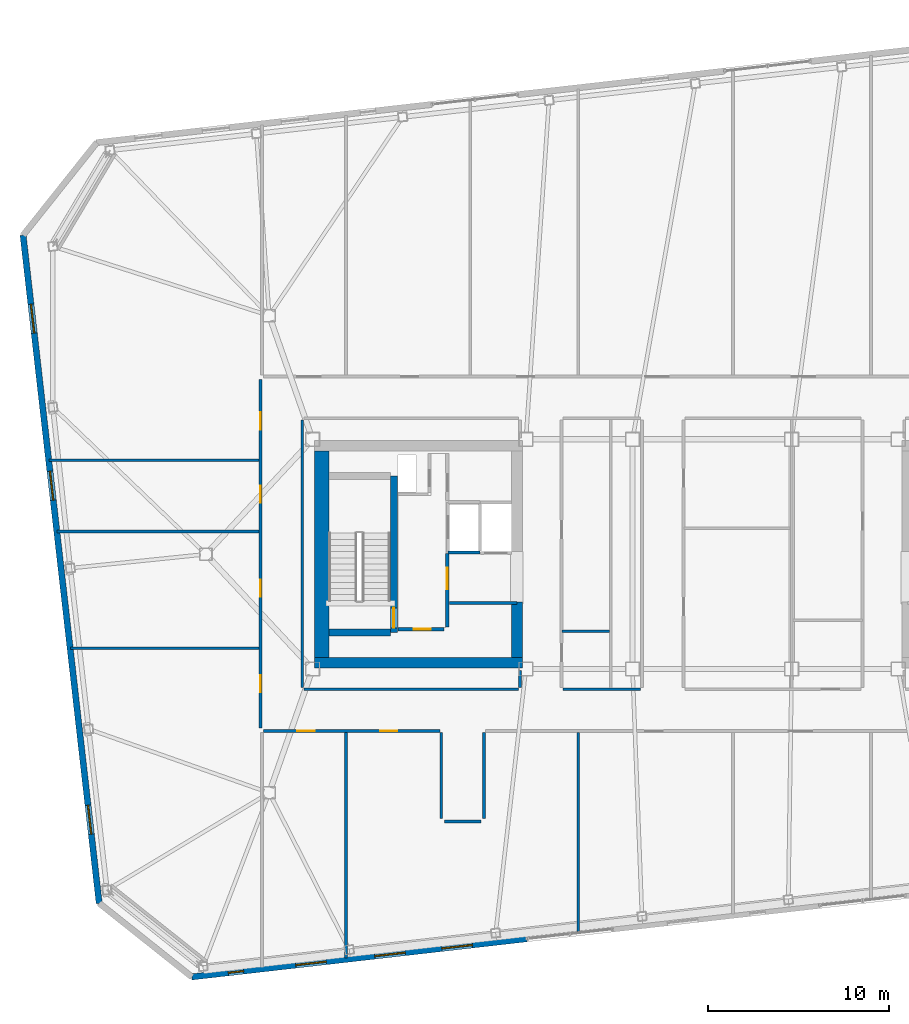
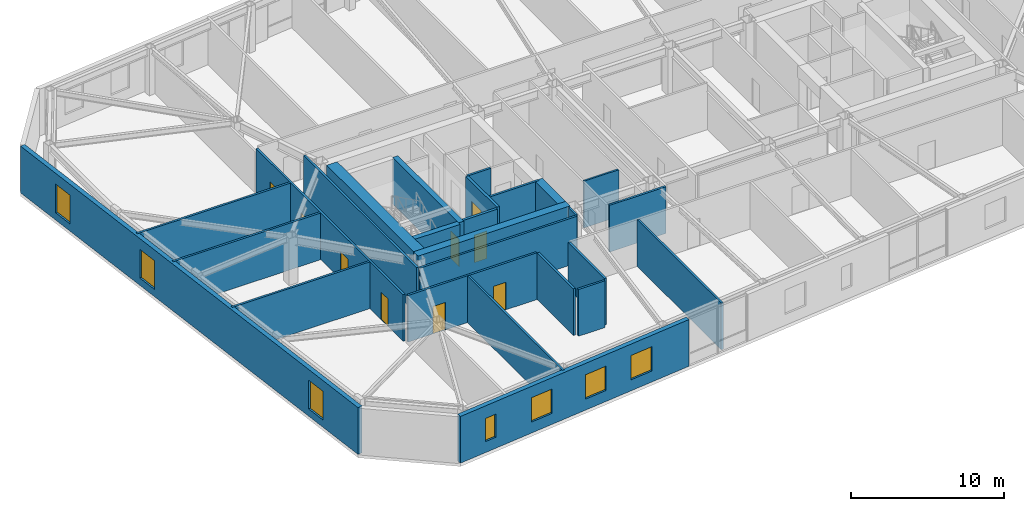
# One storey, part 12 of 19: 26 walls, 9 doors, 7 windows, 16 openings.
"""IFC4 building model written with IfcOpenShell, lengths in metres."""

from ifc_helpers import new_model, si_unit, direction, frame, frame_2d, origin, place, context, subcontext, project, spatial, rectangle, extrude, material, layer, layer_set, type_object, element, fill, save


model = new_model("IFC4")

# Units and contexts
model_context = context("Model", 3, precision=1e-05, world=origin(), true_north=direction((0.0, 1.0)))
body_context = subcontext(model_context, "Body", "Model", "MODEL_VIEW")
ifc_project = project(units=[si_unit("LENGTHUNIT", "METRE"), si_unit("AREAUNIT", "SQUARE_METRE"), si_unit("VOLUMEUNIT", "CUBIC_METRE"), si_unit("PLANEANGLEUNIT", "RADIAN"), si_unit("MASSUNIT", "GRAM", prefix="KILO")], contexts=[model_context])

# Site, building, storey
site_placement = place(None, origin())
site = spatial("IfcSite", under=ifc_project, at=site_placement, CompositionType="ELEMENT")
building_placement = place(site_placement, origin())
building = spatial("IfcBuilding", under=site, at=building_placement, Name="Tavrogorsk Clinical Tower", CompositionType="ELEMENT")
storey_placement = place(building_placement, frame((0.0, 0.0, 259.0)))
storey = spatial("IfcBuildingStorey", under=building, at=storey_placement, Name="L60", CompositionType="ELEMENT", Elevation=259.0)

# Wall, opening, door
ifc_material_1 = material(Name="Concrete B60", Category="concrete")
ifc_layer_1 = layer(ifc_material_1, 0.199951171875)
ifc_layer_set_1 = layer_set([ifc_layer_1], Name="Concrete B60")
wall_type_1 = type_object("IfcWallType", Name="CoreFireWall_200", PredefinedType="SOLIDWALL", material=ifc_layer_set_1)
wall_1_placement = place(storey_placement, frame((-17.3798828125, -4.139892578125, 0.0), z_axis=(0.0, 0.0, 1.0), x_axis=(1.0, 0.0, 0.0)))
wall_1 = element("IfcWall", 1, at=wall_1_placement, inside=storey, type_object=wall_type_1, Name="L60 Core West South Core Room Fire Wall", PredefinedType="SOLIDWALL", context=body_context, shape_type="SweptSolid", body=[
    extrude(rectangle(XDim=2.554931640625, YDim=0.199951171875, at=frame_2d((1.27734375, 0.0))), origin(), (0.0, 0.0, 1.0), 3.739990234375),
])
opening_1_placement = place(wall_1_placement, frame((0.8798828125, 0.0, 0.0)))
opening_1 = element("IfcOpeningElement", 2, at=opening_1_placement, cuts=wall_1, Name="Opening ID-02", PredefinedType="OPENING", context=body_context, shape_type="SweptSolid", body=[
    extrude(rectangle(XDim=0.949951171875, YDim=2.199951171875, at=frame_2d((0.47509765625, 1.10009765625))), frame((0.0, 0.10986328125, 0.0), z_axis=(0.0, -1.0, 0.0), x_axis=(1.0, 0.0, 0.0)), (0.0, 0.0, 1.0), 0.219970703125),
])
ifc_material_2 = material(Name="Laminated timber leaf on aluminium frame", Category="wood")
door_type_1 = type_object("IfcDoorType", Name="InteriorDoor_ID02_950", OperationType="NOTDEFINED", PredefinedType="DOOR", material=ifc_material_2)
door_1_placement = place(opening_1_placement, origin())
door_1 = element("IfcDoor", 3, at=door_1_placement, inside=storey, type_object=door_type_1, Name="L60 Core West South Core Room Door", OperationType="SINGLE_SWING_RIGHT", OverallHeight=2.199951171875, OverallWidth=0.949951171875, PredefinedType="DOOR", context=body_context, shape_type="SweptSolid", body=[
    extrude(rectangle(XDim=0.949951171875, YDim=2.199951171875, at=frame_2d((0.47509765625, 1.10009765625))), frame((0.0, 0.02490234375, 0.0), z_axis=(0.0, -1.0, 0.0), x_axis=(1.0, 0.0, 0.0)), (0.0, 0.0, 1.0), 0.050048828125),
])
fill(opening_1, door_1)

wall_2_placement = place(storey_placement, frame((-14.639892578125, -4.034912109375, 0.0), z_axis=(0.0, 0.0, 1.0), x_axis=(0.0, 1.0, 0.0)))
wall_2 = element("IfcWall", 4, at=wall_2_placement, inside=storey, type_object=wall_type_1, Name="L60 Core West Firefighting Lobby Fire Wall", PredefinedType="SOLIDWALL", context=body_context, shape_type="SweptSolid", body=[
    extrude(rectangle(XDim=4.074951171875, YDim=0.199951171875, at=frame_2d((2.03759765625, 0.0))), origin(), (0.0, 0.0, 1.0), 3.739990234375),
])
opening_2_placement = place(wall_2_placement, frame((2.090087890625, 0.0, 0.0)))
opening_2 = element("IfcOpeningElement", 5, at=opening_2_placement, cuts=wall_2, Name="Opening FD-01", PredefinedType="OPENING", context=body_context, shape_type="SweptSolid", body=[
    extrude(rectangle(XDim=1.199951171875, YDim=2.199951171875, at=frame_2d((0.60009765625, 1.10009765625))), frame((0.0, 0.10986328125, 0.0), z_axis=(0.0, -1.0, 0.0), x_axis=(1.0, 0.0, 0.0)), (0.0, 0.0, 1.0), 0.219970703125),
])
ifc_material_3 = material(Name="Galvanised steel fire-rated door assembly", Category="steel")
door_type_2 = type_object("IfcDoorType", Name="FireDoor_FD01_1200", OperationType="NOTDEFINED", PredefinedType="DOOR", material=ifc_material_3)
door_2_placement = place(opening_2_placement, origin())
door_2 = element("IfcDoor", 6, at=door_2_placement, inside=storey, type_object=door_type_2, Name="L60 Core West Firefighting Lobby Entry Door", OperationType="SINGLE_SWING_RIGHT", OverallHeight=2.199951171875, OverallWidth=1.199951171875, PredefinedType="DOOR", context=body_context, shape_type="SweptSolid", body=[
    extrude(rectangle(XDim=1.199951171875, YDim=2.199951171875, at=frame_2d((0.60009765625, 1.10009765625))), frame((0.0, 0.02490234375, 0.0), z_axis=(0.0, -1.0, 0.0), x_axis=(1.0, 0.0, 0.0)), (0.0, 0.0, 1.0), 0.050048828125),
])
fill(opening_2, door_2)

# Walls
ifc_material_4 = material(Name="Lightweight concrete blockwork B15", Category="masonry")
ifc_layer_2 = layer(ifc_material_4, 0.139892578125)
ifc_layer_set_2 = layer_set([ifc_layer_2], Name="Lightweight concrete blockwork B15")
wall_type_2 = type_object("IfcWallType", Name="PartitionWall_140", PredefinedType="PARTITIONING", material=ifc_layer_set_2)
wall_3_placement = place(storey_placement, frame((-8.31494140625, -4.25, 0.0), z_axis=(0.0, 0.0, 1.0), x_axis=(1.0, 0.0, 0.0)))
element("IfcWall", 7, at=wall_3_placement, inside=storey, type_object=wall_type_2, Name="L60 Central Spine Partition 4", PredefinedType="PARTITIONING", context=body_context, shape_type="SweptSolid", body=[
    extrude(rectangle(XDim=2.639892578125, YDim=0.139892578125, at=frame_2d((1.31982421875, 0.0))), origin(), (0.0, 0.0, 1.0), 3.739990234375),
])
ifc_material_5 = material(Name="Lightweight concrete blockwork B15", Category="masonry")
ifc_layer_3 = layer(ifc_material_5, 0.159912109375)
ifc_layer_set_3 = layer_set([ifc_layer_3], Name="Lightweight concrete blockwork B15")
wall_type_3 = type_object("IfcWallType", Name="PartitionWall_160", PredefinedType="PARTITIONING", material=ifc_layer_set_3)
wall_4_placement = place(storey_placement, frame((-14.534912109375, -2.699951171875, 0.0), z_axis=(0.0, 0.0, 1.0), x_axis=(1.0, 0.0, 0.0)))
element("IfcWall", 8, at=wall_4_placement, inside=storey, type_object=wall_type_3, Name="L60 Core West Freed Mid-Bank North Partition", PredefinedType="PARTITIONING", context=body_context, shape_type="SweptSolid", body=[
    extrude(rectangle(XDim=3.73486328125, YDim=0.159912109375, at=frame_2d((1.867431640625, 0.0))), origin(), (0.0, 0.0, 1.0), 3.739990234375),
])

# Wall, openings, doors
wall_5_placement = place(storey_placement, frame((-24.97998046875, -9.614990234375, 0.0), z_axis=(0.0, 0.0, 1.0), x_axis=(0.0, 1.0, 0.0)))
wall_5 = element("IfcWall", 9, at=wall_5_placement, inside=storey, type_object=wall_type_3, Name="L60 Corridor Partition 01", PredefinedType="PARTITIONING", context=body_context, shape_type="SweptSolid", body=[
    extrude(rectangle(XDim=19.280029296875, YDim=0.159912109375, at=frame_2d((9.64013671875, 0.0))), origin(), (0.0, 0.0, 1.0), 3.739990234375),
])
opening_3_placement = place(wall_5_placement, frame((1.968994140625, 0.0, 0.0)))
opening_3 = element("IfcOpeningElement", 10, at=opening_3_placement, cuts=wall_5, Name="Opening ID-02", PredefinedType="OPENING", context=body_context, shape_type="SweptSolid", body=[
    extrude(rectangle(XDim=0.949951171875, YDim=2.199951171875, at=frame_2d((0.47509765625, 1.10009765625))), frame((0.0, 0.08984375, 0.0), z_axis=(0.0, -1.0, 0.0), x_axis=(1.0, 0.0, 0.0)), (0.0, 0.0, 1.0), 0.179931640625),
])
opening_4_placement = place(wall_5_placement, frame((7.25, 0.0, 0.0)))
opening_4 = element("IfcOpeningElement", 11, at=opening_4_placement, cuts=wall_5, Name="Opening ID-02", PredefinedType="OPENING", context=body_context, shape_type="SweptSolid", body=[
    extrude(rectangle(XDim=0.949951171875, YDim=2.199951171875, at=frame_2d((0.47509765625, 1.10009765625))), frame((0.0, 0.08984375, 0.0), z_axis=(0.0, -1.0, 0.0), x_axis=(1.0, 0.0, 0.0)), (0.0, 0.0, 1.0), 0.179931640625),
])
opening_5_placement = place(wall_5_placement, frame((12.449951171875, 0.0, 0.0)))
opening_5 = element("IfcOpeningElement", 12, at=opening_5_placement, cuts=wall_5, Name="Opening ID-02", PredefinedType="OPENING", context=body_context, shape_type="SweptSolid", body=[
    extrude(rectangle(XDim=0.949951171875, YDim=2.199951171875, at=frame_2d((0.47509765625, 1.10009765625))), frame((0.0, 0.08984375, 0.0), z_axis=(0.0, -1.0, 0.0), x_axis=(1.0, 0.0, 0.0)), (0.0, 0.0, 1.0), 0.179931640625),
])
opening_6_placement = place(wall_5_placement, frame((16.505859375, 0.0, 0.0)))
opening_6 = element("IfcOpeningElement", 13, at=opening_6_placement, cuts=wall_5, Name="Opening ID-02", PredefinedType="OPENING", context=body_context, shape_type="SweptSolid", body=[
    extrude(rectangle(XDim=0.949951171875, YDim=2.199951171875, at=frame_2d((0.47509765625, 1.10009765625))), frame((0.0, 0.08984375, 0.0), z_axis=(0.0, -1.0, 0.0), x_axis=(1.0, 0.0, 0.0)), (0.0, 0.0, 1.0), 0.179931640625),
])
door_3_placement = place(opening_3_placement, origin())
door_3 = element("IfcDoor", 14, at=door_3_placement, inside=storey, type_object=door_type_1, Name="L60 W Solarium Day Room & Lounge 1 Door", OperationType="SINGLE_SWING_LEFT", OverallHeight=2.199951171875, OverallWidth=0.949951171875, PredefinedType="DOOR", context=body_context, shape_type="SweptSolid", body=[
    extrude(rectangle(XDim=0.949951171875, YDim=2.199951171875, at=frame_2d((0.47509765625, 1.10009765625))), frame((0.0, 0.02490234375, 0.0), z_axis=(0.0, -1.0, 0.0), x_axis=(1.0, 0.0, 0.0)), (0.0, 0.0, 1.0), 0.050048828125),
])
fill(opening_3, door_3)
door_4_placement = place(opening_4_placement, origin())
door_4 = element("IfcDoor", 15, at=door_4_placement, inside=storey, type_object=door_type_1, Name="L60 W Rehabilitation Therapy Suite 2 Door", OperationType="SINGLE_SWING_RIGHT", OverallHeight=2.199951171875, OverallWidth=0.949951171875, PredefinedType="DOOR", context=body_context, shape_type="SweptSolid", body=[
    extrude(rectangle(XDim=0.949951171875, YDim=2.199951171875, at=frame_2d((0.47509765625, 1.10009765625))), frame((0.0, 0.02490234375, 0.0), z_axis=(0.0, -1.0, 0.0), x_axis=(1.0, 0.0, 0.0)), (0.0, 0.0, 1.0), 0.050048828125),
])
fill(opening_4, door_4)
door_5_placement = place(opening_5_placement, origin())
door_5 = element("IfcDoor", 16, at=door_5_placement, inside=storey, type_object=door_type_1, Name="L60 W Sub-Acute Observation Suite 3 Door", OperationType="SINGLE_SWING_LEFT", OverallHeight=2.199951171875, OverallWidth=0.949951171875, PredefinedType="DOOR", context=body_context, shape_type="SweptSolid", body=[
    extrude(rectangle(XDim=0.949951171875, YDim=2.199951171875, at=frame_2d((0.47509765625, 1.10009765625))), frame((0.0, 0.02490234375, 0.0), z_axis=(0.0, -1.0, 0.0), x_axis=(1.0, 0.0, 0.0)), (0.0, 0.0, 1.0), 0.050048828125),
])
fill(opening_5, door_5)
door_6_placement = place(opening_6_placement, origin())
door_6 = element("IfcDoor", 17, at=door_6_placement, inside=storey, type_object=door_type_1, Name="L60 W Family Consultation Lounge 4 Door", OperationType="SINGLE_SWING_RIGHT", OverallHeight=2.199951171875, OverallWidth=0.949951171875, PredefinedType="DOOR", context=body_context, shape_type="SweptSolid", body=[
    extrude(rectangle(XDim=0.949951171875, YDim=2.199951171875, at=frame_2d((0.47509765625, 1.10009765625))), frame((0.0, 0.02490234375, 0.0), z_axis=(0.0, -1.0, 0.0), x_axis=(1.0, 0.0, 0.0)), (0.0, 0.0, 1.0), 0.050048828125),
])
fill(opening_6, door_6)

# Walls
wall_6_placement = place(storey_placement, frame((-12.6201171875, -9.864990234375, 0.0), z_axis=(0.0, 0.0, 1.0), x_axis=(0.0, -1.0, 0.0)))
element("IfcWall", 18, at=wall_6_placement, inside=storey, type_object=wall_type_3, Name="L60 Corridor Partition 05", PredefinedType="PARTITIONING", context=body_context, shape_type="SweptSolid", body=[
    extrude(rectangle(XDim=4.75, YDim=0.159912109375, at=frame_2d((2.375, 0.0))), origin(), (0.0, 0.0, 1.0), 3.739990234375),
])
wall_7_placement = place(storey_placement, frame((-12.784912109375, -14.780029296875, 0.0), z_axis=(0.0, 0.0, 1.0), x_axis=(-1.0, 0.0, 0.0)))
element("IfcWall", 19, at=wall_7_placement, inside=storey, type_object=wall_type_3, Name="L60 Corridor Partition 06", PredefinedType="PARTITIONING", context=body_context, shape_type="SweptSolid", body=[
    extrude(rectangle(XDim=2.030029296875, YDim=0.159912109375, at=frame_2d((1.01513671875, 0.0))), origin(), (0.0, 0.0, 1.0), 3.739990234375),
])
wall_8_placement = place(storey_placement, frame((-14.97998046875, -14.614990234375, 0.0), z_axis=(0.0, 0.0, 1.0), x_axis=(0.0, 1.0, 0.0)))
element("IfcWall", 20, at=wall_8_placement, inside=storey, type_object=wall_type_3, Name="L60 Corridor Partition 07", PredefinedType="PARTITIONING", context=body_context, shape_type="SweptSolid", body=[
    extrude(rectangle(XDim=4.75, YDim=0.159912109375, at=frame_2d((2.375, 0.0))), origin(), (0.0, 0.0, 1.0), 3.739990234375),
])

# Wall, openings, doors
wall_9_placement = place(storey_placement, frame((-15.06494140625, -9.780029296875, 0.0), z_axis=(0.0, 0.0, 1.0), x_axis=(-1.0, 0.0, 0.0)))
wall_9 = element("IfcWall", 21, at=wall_9_placement, inside=storey, type_object=wall_type_3, Name="L60 Corridor Partition 08", PredefinedType="PARTITIONING", context=body_context, shape_type="SweptSolid", body=[
    extrude(rectangle(XDim=9.75, YDim=0.159912109375, at=frame_2d((4.875, 0.0))), origin(), (0.0, 0.0, 1.0), 3.739990234375),
])
opening_7_placement = place(wall_9_placement, frame((6.92578125, 0.0, 0.0)))
opening_7 = element("IfcOpeningElement", 22, at=opening_7_placement, cuts=wall_9, Name="Opening ID-02", PredefinedType="OPENING", context=body_context, shape_type="SweptSolid", body=[
    extrude(rectangle(XDim=0.949951171875, YDim=2.199951171875, at=frame_2d((0.47509765625, 1.10009765625))), frame((0.0, 0.08984375, 0.0), z_axis=(0.0, -1.0, 0.0), x_axis=(1.0, 0.0, 0.0)), (0.0, 0.0, 1.0), 0.179931640625),
])
opening_8_placement = place(wall_9_placement, frame((2.35400390625, 0.0, 0.0)))
opening_8 = element("IfcOpeningElement", 23, at=opening_8_placement, cuts=wall_9, Name="Opening ID-02", PredefinedType="OPENING", context=body_context, shape_type="SweptSolid", body=[
    extrude(rectangle(XDim=0.949951171875, YDim=2.199951171875, at=frame_2d((0.47509765625, 1.10009765625))), frame((0.0, 0.08984375, 0.0), z_axis=(0.0, -1.0, 0.0), x_axis=(1.0, 0.0, 0.0)), (0.0, 0.0, 1.0), 0.179931640625),
])
door_7_placement = place(opening_7_placement, origin())
door_7 = element("IfcDoor", 24, at=door_7_placement, inside=storey, type_object=door_type_1, Name="L60 South Outpatient Procedure Suite 01 Door", OperationType="SINGLE_SWING_LEFT", OverallHeight=2.199951171875, OverallWidth=0.949951171875, PredefinedType="DOOR", context=body_context, shape_type="SweptSolid", body=[
    extrude(rectangle(XDim=0.949951171875, YDim=2.199951171875, at=frame_2d((0.47509765625, 1.10009765625))), frame((0.0, 0.02490234375, 0.0), z_axis=(0.0, -1.0, 0.0), x_axis=(1.0, 0.0, 0.0)), (0.0, 0.0, 1.0), 0.050048828125),
])
fill(opening_7, door_7)
door_8_placement = place(opening_8_placement, origin())
door_8 = element("IfcDoor", 25, at=door_8_placement, inside=storey, type_object=door_type_1, Name="L60 South Cardiology Diagnostics Room 02 Door", OperationType="SINGLE_SWING_RIGHT", OverallHeight=2.199951171875, OverallWidth=0.949951171875, PredefinedType="DOOR", context=body_context, shape_type="SweptSolid", body=[
    extrude(rectangle(XDim=0.949951171875, YDim=2.199951171875, at=frame_2d((0.47509765625, 1.10009765625))), frame((0.0, 0.02490234375, 0.0), z_axis=(0.0, -1.0, 0.0), x_axis=(1.0, 0.0, 0.0)), (0.0, 0.0, 1.0), 0.050048828125),
])
fill(opening_8, door_8)

# Walls
wall_10_placement = place(storey_placement, frame((-8.235107421875, -7.469970703125, 0.0), z_axis=(0.0, 0.0, 1.0), x_axis=(1.0, 0.0, 0.0)))
element("IfcWall", 26, at=wall_10_placement, inside=storey, type_object=wall_type_3, Name="L60 Corridor Partition 21", PredefinedType="PARTITIONING", context=body_context, shape_type="SweptSolid", body=[
    extrude(rectangle(XDim=4.27001953125, YDim=0.159912109375, at=frame_2d((2.135009765625, 0.0))), origin(), (0.0, 0.0, 1.0), 3.739990234375),
])
wall_11_placement = place(storey_placement, frame((-10.6298828125, -7.385009765625, 0.0), z_axis=(0.0, 0.0, 1.0), x_axis=(0.0, 1.0, 0.0)))
element("IfcWall", 27, at=wall_11_placement, inside=storey, type_object=wall_type_3, Name="L60 Corridor Partition 22", PredefinedType="PARTITIONING", context=body_context, shape_type="SweptSolid", body=[
    extrude(rectangle(XDim=0.965087890625, YDim=0.159912109375, at=frame_2d((0.482421875, 0.0))), origin(), (0.0, 0.0, 1.0), 3.739990234375),
])
wall_12_placement = place(storey_placement, frame((-22.669921875, 7.43505859375, 0.0), z_axis=(0.0, 0.0, 1.0), x_axis=(0.0, -1.0, 0.0)))
element("IfcWall", 28, at=wall_12_placement, inside=storey, type_object=wall_type_3, Name="L60 Corridor Partition 25", PredefinedType="PARTITIONING", context=body_context, shape_type="SweptSolid", body=[
    extrude(rectangle(XDim=14.820068359375, YDim=0.159912109375, at=frame_2d((7.41015625, 0.0))), origin(), (0.0, 0.0, 1.0), 3.739990234375),
])
wall_13_placement = place(storey_placement, frame((-22.5849609375, -7.469970703125, 0.0), z_axis=(0.0, 0.0, 1.0), x_axis=(1.0, 0.0, 0.0)))
element("IfcWall", 29, at=wall_13_placement, inside=storey, type_object=wall_type_3, Name="L60 Corridor Partition 26", PredefinedType="PARTITIONING", context=body_context, shape_type="SweptSolid", body=[
    extrude(rectangle(XDim=11.869873046875, YDim=0.159912109375, at=frame_2d((5.93505859375, 0.0))), origin(), (0.0, 0.0, 1.0), 3.739990234375),
])
wall_14_placement = place(storey_placement, frame((-20.25, -22.343505859375, 0.0), z_axis=(0.0, 0.0, 1.0), x_axis=(0.0, 1.0, 0.0)))
element("IfcWall", 30, at=wall_14_placement, inside=storey, type_object=wall_type_3, Name="L60 South Room Partition 1", PredefinedType="PARTITIONING", context=body_context, shape_type="SweptSolid", body=[
    extrude(rectangle(XDim=12.478515625, YDim=0.159912109375, at=frame_2d((6.2392578125, 0.0))), origin(), (0.0, 0.0, 1.0), 3.739990234375),
])
wall_15_placement = place(storey_placement, frame((-7.39990234375, -20.87939453125, 0.0), z_axis=(0.0, 0.0, 1.0), x_axis=(0.0, 1.0, 0.0)))
element("IfcWall", 31, at=wall_15_placement, inside=storey, type_object=wall_type_3, Name="L60 South Room Partition 2", PredefinedType="PARTITIONING", context=body_context, shape_type="SweptSolid", body=[
    extrude(rectangle(XDim=11.014404296875, YDim=0.159912109375, at=frame_2d((5.50732421875, 0.0))), origin(), (0.0, 0.0, 1.0), 3.739990234375),
])
wall_16_placement = place(storey_placement, frame((-35.494384765625, -5.199951171875, 0.0), z_axis=(0.0, 0.0, 1.0), x_axis=(1.0, 0.0, 0.0)))
element("IfcWall", 32, at=wall_16_placement, inside=storey, type_object=wall_type_3, Name="L60 W Wing Divider 1", PredefinedType="PARTITIONING", context=body_context, shape_type="SweptSolid", body=[
    extrude(rectangle(XDim=10.429443359375, YDim=0.159912109375, at=frame_2d((5.21484375, 0.0))), origin(), (0.0, 0.0, 1.0), 3.739990234375),
])
wall_17_placement = place(storey_placement, frame((-36.2294921875, 1.25, 0.0), z_axis=(0.0, 0.0, 1.0), x_axis=(1.0, 0.0, 0.0)))
element("IfcWall", 33, at=wall_17_placement, inside=storey, type_object=wall_type_3, Name="L60 W Wing Divider 2", PredefinedType="PARTITIONING", context=body_context, shape_type="SweptSolid", body=[
    extrude(rectangle(XDim=11.16455078125, YDim=0.159912109375, at=frame_2d((5.582275390625, 0.0))), origin(), (0.0, 0.0, 1.0), 3.739990234375),
])
wall_18_placement = place(storey_placement, frame((-36.679443359375, 5.199951171875, 0.0), z_axis=(0.0, 0.0, 1.0), x_axis=(1.0, 0.0, 0.0)))
element("IfcWall", 34, at=wall_18_placement, inside=storey, type_object=wall_type_3, Name="L60 W Wing Divider 3", PredefinedType="PARTITIONING", context=body_context, shape_type="SweptSolid", body=[
    extrude(rectangle(XDim=11.614501953125, YDim=0.159912109375, at=frame_2d((5.80712890625, 0.0))), origin(), (0.0, 0.0, 1.0), 3.739990234375),
])

# Wall, openings, windows
ifc_material_6 = material(Name="Precast concrete B45 with limestone cladding", Category="masonry")
ifc_layer_4 = layer(ifc_material_6, 0.340087890625)
ifc_layer_set_4 = layer_set([ifc_layer_4], Name="Precast concrete B45 with limestone cladding")
wall_type_4 = type_object("IfcWallType", Name="PrecastLimestoneWall_340", PredefinedType="STANDARD", material=ifc_layer_set_4)
wall_19_placement = place(storey_placement, frame((-28.78271484375, -23.38623046875, 0.0), z_axis=(0.0, 0.0, 1.0), x_axis=(0.993572271362, 0.113199565282, 0.0)))
wall_19 = element("IfcWall", 35, at=wall_19_placement, inside=storey, type_object=wall_type_4, Name="L60 S Limestone Facade Wall 1", PredefinedType="STANDARD", context=body_context, shape_type="SweptSolid", body=[
    extrude(rectangle(XDim=18.6513671875, YDim=0.340087890625, at=frame_2d((9.32568359375, 0.0))), origin(), (0.0, 0.0, 1.0), 3.739990234375),
])
opening_9_placement = place(wall_19_placement, frame((2.030029296875, 0.0, 0.8798828125)))
opening_9 = element("IfcOpeningElement", 36, at=opening_9_placement, cuts=wall_19, Name="Opening WN-06", PredefinedType="OPENING", context=body_context, shape_type="SweptSolid", body=[
    extrude(rectangle(XDim=0.85009765625, YDim=1.85009765625, at=frame_2d((0.425048828125, 0.925048828125))), frame((0.0, 0.179931640625, 0.0), z_axis=(0.0, -1.0, 0.0), x_axis=(1.0, 0.0, 0.0)), (0.0, 0.0, 1.0), 0.360107421875),
])
opening_10_placement = place(wall_19_placement, frame((5.778564453125, 0.0, 0.8798828125)))
opening_10 = element("IfcOpeningElement", 37, at=opening_10_placement, cuts=wall_19, Name="Opening WN-15", PredefinedType="OPENING", context=body_context, shape_type="SweptSolid", body=[
    extrude(rectangle(XDim=1.699951171875, YDim=1.949951171875, at=frame_2d((0.85009765625, 0.97509765625))), frame((0.0, 0.179931640625, 0.0), z_axis=(0.0, -1.0, 0.0), x_axis=(1.0, 0.0, 0.0)), (0.0, 0.0, 1.0), 0.360107421875),
])
opening_11_placement = place(wall_19_placement, frame((10.1787109375, 0.0, 0.8798828125)))
opening_11 = element("IfcOpeningElement", 38, at=opening_11_placement, cuts=wall_19, Name="Opening WN-15", PredefinedType="OPENING", context=body_context, shape_type="SweptSolid", body=[
    extrude(rectangle(XDim=1.699951171875, YDim=1.949951171875, at=frame_2d((0.85009765625, 0.97509765625))), frame((0.0, 0.179931640625, 0.0), z_axis=(0.0, -1.0, 0.0), x_axis=(1.0, 0.0, 0.0)), (0.0, 0.0, 1.0), 0.360107421875),
])
opening_12_placement = place(wall_19_placement, frame((13.927001953125, 0.0, 0.8798828125)))
opening_12 = element("IfcOpeningElement", 39, at=opening_12_placement, cuts=wall_19, Name="Opening WN-15", PredefinedType="OPENING", context=body_context, shape_type="SweptSolid", body=[
    extrude(rectangle(XDim=1.699951171875, YDim=1.949951171875, at=frame_2d((0.85009765625, 0.97509765625))), frame((0.0, 0.179931640625, 0.0), z_axis=(0.0, -1.0, 0.0), x_axis=(1.0, 0.0, 0.0)), (0.0, 0.0, 1.0), 0.360107421875),
])
ifc_material_7 = material(Name="Thermally broken aluminium frame and triple IGU", Category="aluminium")
window_type_1 = type_object("IfcWindowType", Name="MullionSubWin_850x1850", PartitioningType="SINGLE_PANEL", PredefinedType="WINDOW", material=ifc_material_7)
window_1_placement = place(opening_9_placement, origin())
window_1 = element("IfcWindow", 40, at=window_1_placement, inside=storey, type_object=window_type_1, Name="L60 S Mullion Split Window 01A", OverallHeight=1.85009765625, OverallWidth=0.85009765625, PartitioningType="SINGLE_PANEL", PredefinedType="WINDOW", context=body_context, shape_type="SweptSolid", body=[
    extrude(rectangle(XDim=0.85009765625, YDim=1.85009765625, at=frame_2d((0.425048828125, 0.925048828125))), frame((0.0, 0.030029296875, 0.0), z_axis=(0.0, -1.0, 0.0), x_axis=(1.0, 0.0, 0.0)), (0.0, 0.0, 1.0), 0.06005859375),
])
fill(opening_9, window_1)
ifc_material_8 = material(Name="Thermally broken aluminium frame and triple IGU", Category="aluminium")
window_type_2 = type_object("IfcWindowType", Name="OfficeChicagoWin_1700x1950", PartitioningType="SINGLE_PANEL", PredefinedType="WINDOW", material=ifc_material_8)
window_2_placement = place(opening_10_placement, origin())
window_2 = element("IfcWindow", 41, at=window_2_placement, inside=storey, type_object=window_type_2, Name="L60 S Chicago Window 02", OverallHeight=1.949951171875, OverallWidth=1.699951171875, PartitioningType="SINGLE_PANEL", PredefinedType="WINDOW", context=body_context, shape_type="SweptSolid", body=[
    extrude(rectangle(XDim=1.699951171875, YDim=1.949951171875, at=frame_2d((0.85009765625, 0.97509765625))), frame((0.0, 0.030029296875, 0.0), z_axis=(0.0, -1.0, 0.0), x_axis=(1.0, 0.0, 0.0)), (0.0, 0.0, 1.0), 0.06005859375),
])
fill(opening_10, window_2)
window_3_placement = place(opening_11_placement, origin())
window_3 = element("IfcWindow", 42, at=window_3_placement, inside=storey, type_object=window_type_2, Name="L60 S Chicago Window 03", OverallHeight=1.949951171875, OverallWidth=1.699951171875, PartitioningType="SINGLE_PANEL", PredefinedType="WINDOW", context=body_context, shape_type="SweptSolid", body=[
    extrude(rectangle(XDim=1.699951171875, YDim=1.949951171875, at=frame_2d((0.85009765625, 0.97509765625))), frame((0.0, 0.030029296875, 0.0), z_axis=(0.0, -1.0, 0.0), x_axis=(1.0, 0.0, 0.0)), (0.0, 0.0, 1.0), 0.06005859375),
])
fill(opening_11, window_3)
window_4_placement = place(opening_12_placement, origin())
window_4 = element("IfcWindow", 43, at=window_4_placement, inside=storey, type_object=window_type_2, Name="L60 S Chicago Window 04", OverallHeight=1.949951171875, OverallWidth=1.699951171875, PartitioningType="SINGLE_PANEL", PredefinedType="WINDOW", context=body_context, shape_type="SweptSolid", body=[
    extrude(rectangle(XDim=1.699951171875, YDim=1.949951171875, at=frame_2d((0.85009765625, 0.97509765625))), frame((0.0, 0.030029296875, 0.0), z_axis=(0.0, -1.0, 0.0), x_axis=(1.0, 0.0, 0.0)), (0.0, 0.0, 1.0), 0.06005859375),
])
fill(opening_12, window_4)

wall_20_placement = place(storey_placement, frame((-38.1181640625, 17.65087890625, 0.0), z_axis=(0.0, 0.0, 1.0), x_axis=(0.11320360501, -0.9935718111, 0.0)))
wall_20 = element("IfcWall", 44, at=wall_20_placement, inside=storey, type_object=wall_type_4, Name="L60 W Pleated Limestone Wing Wall", PredefinedType="STANDARD", context=body_context, shape_type="SweptSolid", body=[
    extrude(rectangle(XDim=37.199951171875, YDim=0.340087890625, at=frame_2d((18.60009765625, 0.0))), origin(), (0.0, 0.0, 1.0), 3.739990234375),
])
opening_13_placement = place(wall_20_placement, frame((3.85009765625, 0.0, 0.580078125)))
opening_13 = element("IfcOpeningElement", 45, at=opening_13_placement, cuts=wall_20, Name="Opening WN-07", PredefinedType="OPENING", context=body_context, shape_type="SweptSolid", body=[
    extrude(rectangle(XDim=1.60009765625, YDim=2.300048828125, at=frame_2d((0.800048828125, 1.14990234375))), frame((0.0, 0.179931640625, 0.0), z_axis=(0.0, -1.0, 0.0), x_axis=(1.0, 0.0, 0.0)), (0.0, 0.0, 1.0), 0.360107421875),
])
opening_14_placement = place(wall_20_placement, frame((13.14990234375, 0.0, 0.580078125)))
opening_14 = element("IfcOpeningElement", 46, at=opening_14_placement, cuts=wall_20, Name="Opening WN-07", PredefinedType="OPENING", context=body_context, shape_type="SweptSolid", body=[
    extrude(rectangle(XDim=1.60009765625, YDim=2.300048828125, at=frame_2d((0.800048828125, 1.14990234375))), frame((0.0, 0.179931640625, 0.0), z_axis=(0.0, -1.0, 0.0), x_axis=(1.0, 0.0, 0.0)), (0.0, 0.0, 1.0), 0.360107421875),
])
opening_15_placement = place(wall_20_placement, frame((31.75, 0.0, 0.580078125)))
opening_15 = element("IfcOpeningElement", 47, at=opening_15_placement, cuts=wall_20, Name="Opening WN-07", PredefinedType="OPENING", context=body_context, shape_type="SweptSolid", body=[
    extrude(rectangle(XDim=1.60009765625, YDim=2.300048828125, at=frame_2d((0.800048828125, 1.14990234375))), frame((0.0, 0.179931640625, 0.0), z_axis=(0.0, -1.0, 0.0), x_axis=(1.0, 0.0, 0.0)), (0.0, 0.0, 1.0), 0.360107421875),
])
ifc_material_9 = material(Name="Thermally broken aluminium frame and triple IGU", Category="aluminium")
window_type_3 = type_object("IfcWindowType", Name="PleatSlotWin_1600x2300", PartitioningType="SINGLE_PANEL", PredefinedType="WINDOW", material=ifc_material_9)
window_5_placement = place(opening_13_placement, origin())
window_5 = element("IfcWindow", 48, at=window_5_placement, inside=storey, type_object=window_type_3, Name="L60 W Pleat Slot Window 1", OverallHeight=2.300048828125, OverallWidth=1.60009765625, PartitioningType="SINGLE_PANEL", PredefinedType="WINDOW", context=body_context, shape_type="SweptSolid", body=[
    extrude(rectangle(XDim=1.60009765625, YDim=2.300048828125, at=frame_2d((0.800048828125, 1.14990234375))), frame((0.0, 0.030029296875, 0.0), z_axis=(0.0, -1.0, 0.0), x_axis=(1.0, 0.0, 0.0)), (0.0, 0.0, 1.0), 0.06005859375),
])
fill(opening_13, window_5)
window_6_placement = place(opening_14_placement, origin())
window_6 = element("IfcWindow", 49, at=window_6_placement, inside=storey, type_object=window_type_3, Name="L60 W Pleat Slot Window 2", OverallHeight=2.300048828125, OverallWidth=1.60009765625, PartitioningType="SINGLE_PANEL", PredefinedType="WINDOW", context=body_context, shape_type="SweptSolid", body=[
    extrude(rectangle(XDim=1.60009765625, YDim=2.300048828125, at=frame_2d((0.800048828125, 1.14990234375))), frame((0.0, 0.030029296875, 0.0), z_axis=(0.0, -1.0, 0.0), x_axis=(1.0, 0.0, 0.0)), (0.0, 0.0, 1.0), 0.06005859375),
])
fill(opening_14, window_6)
window_7_placement = place(opening_15_placement, origin())
window_7 = element("IfcWindow", 50, at=window_7_placement, inside=storey, type_object=window_type_3, Name="L60 W Pleat Slot Window 4", OverallHeight=2.300048828125, OverallWidth=1.60009765625, PartitioningType="SINGLE_PANEL", PredefinedType="WINDOW", context=body_context, shape_type="SweptSolid", body=[
    extrude(rectangle(XDim=1.60009765625, YDim=2.300048828125, at=frame_2d((0.800048828125, 1.14990234375))), frame((0.0, 0.030029296875, 0.0), z_axis=(0.0, -1.0, 0.0), x_axis=(1.0, 0.0, 0.0)), (0.0, 0.0, 1.0), 0.06005859375),
])
fill(opening_15, window_7)

# Wall
ifc_material_10 = material(Name="Lightweight concrete blockwork B25", Category="masonry")
ifc_layer_5 = layer(ifc_material_10, 0.159912109375)
ifc_layer_set_5 = layer_set([ifc_layer_5], Name="Lightweight concrete blockwork B25")
wall_type_5 = type_object("IfcWallType", Name="ShaftWall_160", PredefinedType="PARTITIONING", material=ifc_layer_set_5)
wall_21_placement = place(storey_placement, frame((-14.60009765625, 0.10009765625, 0.0), z_axis=(0.0, 0.0, 1.0), x_axis=(1.0, 0.0, 0.0)))
element("IfcWall", 51, at=wall_21_placement, inside=storey, type_object=wall_type_5, Name="L60 FFL-W Shaft South Wall", PredefinedType="PARTITIONING", context=body_context, shape_type="SweptSolid", body=[
    extrude(rectangle(XDim=1.760009765625, YDim=0.159912109375, at=frame_2d((0.8798828125, 0.0))), origin(), (0.0, 0.0, 1.0), 3.739990234375),
])

# Wall, opening, door
ifc_material_11 = material(Name="Concrete B80", Category="concrete")
ifc_layer_6 = layer(ifc_material_11, 0.39990234375)
ifc_layer_set_6 = layer_set([ifc_layer_6], Name="Concrete B80")
wall_type_6 = type_object("IfcWallType", Name="ShearWall_400", PredefinedType="SHEAR", material=ifc_layer_set_6)
wall_22_placement = place(storey_placement, frame((-17.60009765625, -4.324951171875, 0.0), z_axis=(0.0, 0.0, 1.0), x_axis=(0.0, 1.0, 0.0)))
wall_22 = element("IfcWall", 52, at=wall_22_placement, inside=storey, type_object=wall_type_6, Name="L60 Core West Stair Shaft Inner Shear Wall", PredefinedType="SHEAR", context=body_context, shape_type="SweptSolid", body=[
    extrude(rectangle(XDim=8.64990234375, YDim=0.39990234375, at=frame_2d((4.324951171875, 0.0))), origin(), (0.0, 0.0, 1.0), 3.739990234375),
])
opening_16_placement = place(wall_22_placement, frame((0.25, 0.0, 0.0)))
opening_16 = element("IfcOpeningElement", 53, at=opening_16_placement, cuts=wall_22, Name="Opening SD-01", PredefinedType="OPENING", context=body_context, shape_type="SweptSolid", body=[
    extrude(rectangle(XDim=1.10009765625, YDim=2.199951171875, at=frame_2d((0.550048828125, 1.10009765625))), frame((0.0, 0.2099609375, 0.0), z_axis=(0.0, -1.0, 0.0), x_axis=(1.0, 0.0, 0.0)), (0.0, 0.0, 1.0), 0.419921875),
])
ifc_material_12 = material(Name="Galvanised steel smoke-tight fire door assembly", Category="steel")
door_type_3 = type_object("IfcDoorType", Name="StairFireDoor_SD01_1100", OperationType="NOTDEFINED", PredefinedType="DOOR", material=ifc_material_12)
door_9_placement = place(opening_16_placement, origin())
door_9 = element("IfcDoor", 54, at=door_9_placement, inside=storey, type_object=door_type_3, Name="L60 ST-W Exit Stair Door", OperationType="SINGLE_SWING_RIGHT", OverallHeight=2.199951171875, OverallWidth=1.10009765625, PredefinedType="DOOR", context=body_context, shape_type="SweptSolid", body=[
    extrude(rectangle(XDim=1.10009765625, YDim=2.199951171875, at=frame_2d((0.550048828125, 1.10009765625))), frame((0.0, 0.02490234375, 0.0), z_axis=(0.0, -1.0, 0.0), x_axis=(1.0, 0.0, 0.0)), (0.0, 0.0, 1.0), 0.050048828125),
])
fill(opening_16, door_9)

# Walls
wall_23_placement = place(storey_placement, frame((-21.199951171875, -4.324951171875, 0.0), z_axis=(0.0, 0.0, 1.0), x_axis=(1.0, 0.0, 0.0)))
element("IfcWall", 55, at=wall_23_placement, inside=storey, type_object=wall_type_6, Name="L60 Core West Stair Shaft South Shear Wall", PredefinedType="SHEAR", context=body_context, shape_type="SweptSolid", body=[
    extrude(rectangle(XDim=3.39990234375, YDim=0.39990234375, at=frame_2d((1.699951171875, 0.0))), origin(), (0.0, 0.0, 1.0), 3.739990234375),
])
ifc_material_13 = material(Name="Concrete B80", Category="concrete")
ifc_layer_7 = layer(ifc_material_13, 0.60009765625)
ifc_layer_set_7 = layer_set([ifc_layer_7], Name="Concrete B80")
wall_type_7 = type_object("IfcWallType", Name="ShearWall_600", PredefinedType="SHEAR", material=ifc_layer_set_7)
wall_24_placement = place(storey_placement, frame((-22.0, -6.0, 0.0), z_axis=(0.0, 0.0, 1.0), x_axis=(1.0, 0.0, 0.0)))
element("IfcWall", 56, at=wall_24_placement, inside=storey, type_object=wall_type_7, Name="L60 Core West South Shear Wall", PredefinedType="SHEAR", context=body_context, shape_type="SweptSolid", body=[
    extrude(rectangle(XDim=11.5, YDim=0.60009765625, at=frame_2d((5.75, 0.0))), origin(), (0.0, 0.0, 1.0), 3.739990234375),
])
wall_25_placement = place(storey_placement, frame((-10.800048828125, -5.699951171875, 0.0), z_axis=(0.0, 0.0, 1.0), x_axis=(0.0, 1.0, 0.0)))
element("IfcWall", 57, at=wall_25_placement, inside=storey, type_object=wall_type_7, Name="L60 Core West Inner South Pier", PredefinedType="SHEAR", context=body_context, shape_type="SweptSolid", body=[
    extrude(rectangle(XDim=3.050048828125, YDim=0.60009765625, at=frame_2d((1.52490234375, 0.0))), origin(), (0.0, 0.0, 1.0), 3.739990234375),
])
ifc_material_14 = material(Name="Concrete B80", Category="concrete")
ifc_layer_8 = layer(ifc_material_14, 0.800048828125)
ifc_layer_set_8 = layer_set([ifc_layer_8], Name="Concrete B80")
wall_type_8 = type_object("IfcWallType", Name="ShearWall_800", PredefinedType="SHEAR", material=ifc_layer_set_8)
wall_26_placement = place(storey_placement, frame((-21.60009765625, -5.699951171875, 0.0), z_axis=(0.0, 0.0, 1.0), x_axis=(0.0, 1.0, 0.0)))
element("IfcWall", 58, at=wall_26_placement, inside=storey, type_object=wall_type_8, Name="L60 Core West End Shear Wall", PredefinedType="SHEAR", context=body_context, shape_type="SweptSolid", body=[
    extrude(rectangle(XDim=11.39990234375, YDim=0.800048828125, at=frame_2d((5.699951171875, 0.0))), origin(), (0.0, 0.0, 1.0), 3.739990234375),
])

save(model, "model.ifc")
